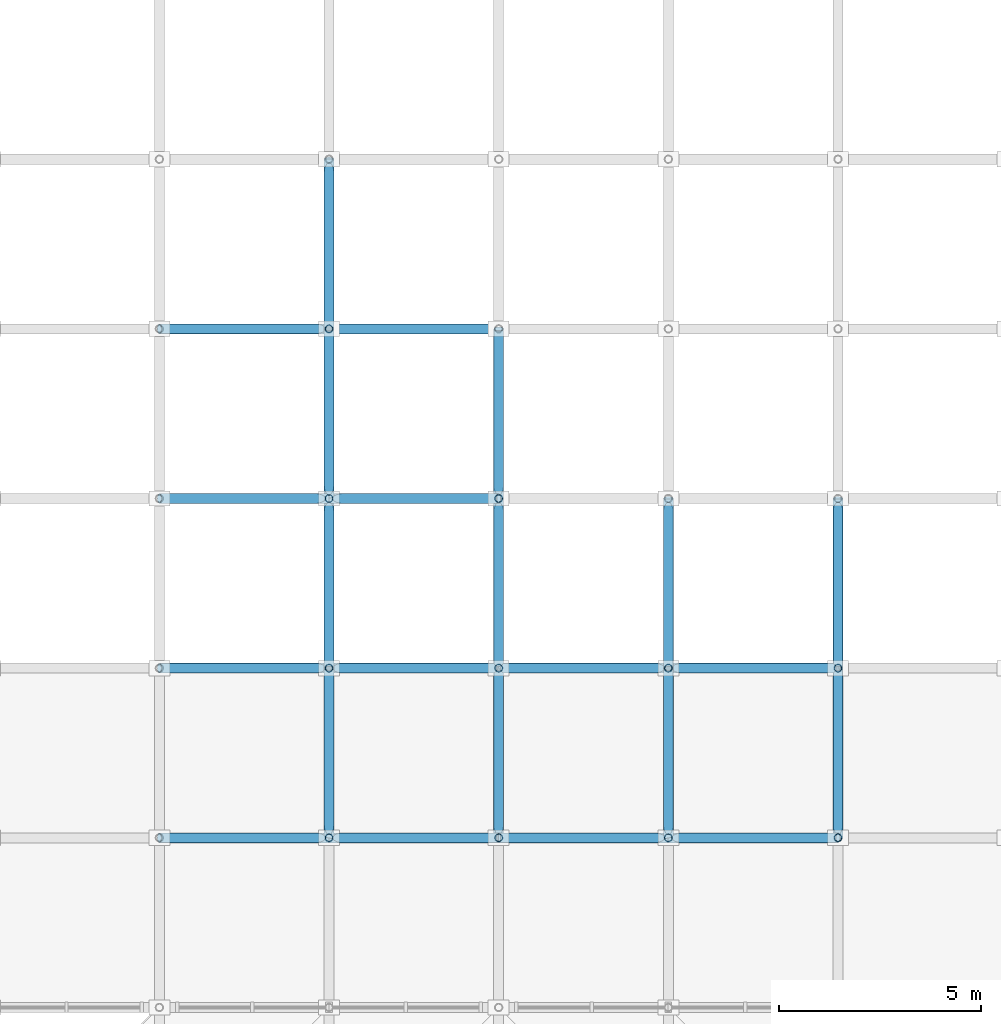
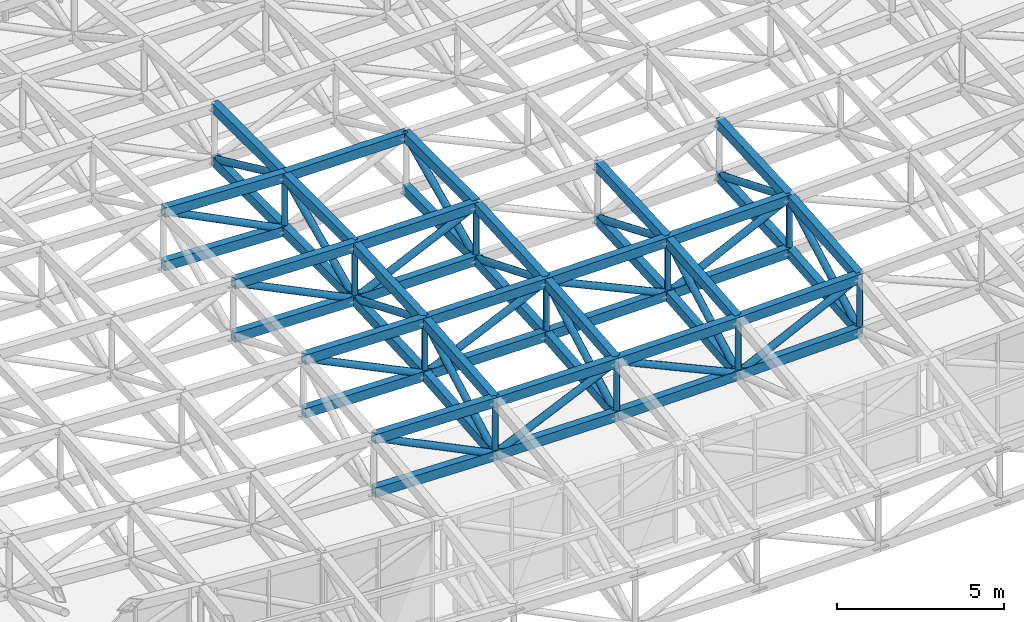
# One storey, part 42 of 111: 78 members.
"""IFC4 building model written with IfcOpenShell, lengths in metres."""

from ifc_helpers import new_model, si_unit, direction, frame, origin, origin_2d, place, context, subcontext, project, spatial, hollow_rectangle, hollow_circle, extrude, material, material_profile, profile_set, type_object, element, save


model = new_model("IFC4")

# Units and contexts
model_context = context("Model", 3, precision=1e-05, world=origin(), true_north=direction((0.0, 1.0)))
body_context = subcontext(model_context, "Body", "Model", "MODEL_VIEW")
ifc_project = project(units=[si_unit("LENGTHUNIT", "METRE"), si_unit("AREAUNIT", "SQUARE_METRE"), si_unit("VOLUMEUNIT", "CUBIC_METRE"), si_unit("PLANEANGLEUNIT", "RADIAN"), si_unit("MASSUNIT", "GRAM", prefix="KILO")], contexts=[model_context])

# Site, building, storey
site_placement = place(None, origin())
site = spatial("IfcSite", under=ifc_project, at=site_placement, CompositionType="ELEMENT")
building_placement = place(site_placement, origin())
building = spatial("IfcBuilding", under=site, at=building_placement, Name="Cumbredor Promenade Congress Hotel", CompositionType="ELEMENT")
storey_placement = place(building_placement, frame((0.0, 0.0, 15.1201171875)))
storey = spatial("IfcBuildingStorey", under=building, at=storey_placement, Name="L04", CompositionType="ELEMENT", Elevation=15.1201171875)

# Members
ifc_material = material(Name="Steel ASTM A500 Grade C", Category="steel")
ifc_material_profile_1 = material_profile(ifc_material, hollow_rectangle(XDim=0.25, YDim=0.35009765625, WallThickness=0.01611328125, at=origin_2d()), Name="HSS 350x250x16")
ifc_profile_set_1 = profile_set([ifc_material_profile_1], Name="Steel ASTM A500 Grade C")
member_type_1 = type_object("IfcMemberType", Name="Forum Roof Truss Chord", PredefinedType="CHORD", material=ifc_profile_set_1)
for number, where, z_axis, x_axis, name in (
    (1, (126.0, 88.199951171875, 3.99609375), (0.999709150504, 0.0, -0.024116682989), (0.0, 1.0, 0.0), "Pre-Function and Breakout Meeting Forum X Top Chord 10.3"),
    (2, (126.0, 88.199951171875, 2.046142578125), (0.999709150504, 0.0, -0.024116682989), (0.0, 1.0, 0.0), "Pre-Function and Breakout Meeting Forum X Bottom Chord 10.3"),
):
    element("IfcMember", number, at=place(storey_placement, frame(where, z_axis=z_axis, x_axis=x_axis)), inside=storey, type_object=member_type_1, Name=name, PredefinedType="CHORD", context=body_context, shape_type="SweptSolid", body=[
        extrude(hollow_rectangle(XDim=0.25, YDim=0.35009765625, WallThickness=0.01611328125, at=origin_2d()), origin(), (0.0, 0.0, 1.0), 4.201171875),
    ])
for number, where, z_axis, x_axis, name in (
    (3, (130.199951171875, 88.199951171875, 3.894775390625), (0.999967358511, 0.0, -0.008079722306), (0.0, 1.0, 0.0), "Pre-Function and Breakout Meeting Forum X Top Chord 11.3"),
    (4, (130.199951171875, 88.199951171875, 1.94482421875), (0.999967358511, 0.0, -0.008079722306), (0.0, 1.0, 0.0), "Pre-Function and Breakout Meeting Forum X Bottom Chord 11.3"),
):
    element("IfcMember", number, at=place(storey_placement, frame(where, z_axis=z_axis, x_axis=x_axis)), inside=storey, type_object=member_type_1, Name=name, PredefinedType="CHORD", context=body_context, shape_type="SweptSolid", body=[
        extrude(hollow_rectangle(XDim=0.25, YDim=0.35009765625, WallThickness=0.01611328125, at=origin_2d()), origin(), (0.0, 0.0, 1.0), 4.2001953125),
    ])
for number, where, z_axis, x_axis, name in (
    (5, (134.39990234375, 88.199951171875, 3.86083984375), (0.999967362305, 0.0, 0.008079252695), (0.0, 1.0, 0.0), "Pre-Function and Breakout Meeting Forum X Top Chord 12.3"),
    (6, (134.39990234375, 88.199951171875, 1.910888671875), (0.999967362305, 0.0, 0.008079252695), (0.0, 1.0, 0.0), "Pre-Function and Breakout Meeting Forum X Bottom Chord 12.3"),
):
    element("IfcMember", number, at=place(storey_placement, frame(where, z_axis=z_axis, x_axis=x_axis)), inside=storey, type_object=member_type_1, Name=name, PredefinedType="CHORD", context=body_context, shape_type="SweptSolid", body=[
        extrude(hollow_rectangle(XDim=0.25, YDim=0.35009765625, WallThickness=0.01611328125, at=origin_2d()), origin(), (0.0, 0.0, 1.0), 4.200439453125),
    ])
for number, where, z_axis, x_axis, name in (
    (7, (138.60009765625, 88.199951171875, 3.894775390625), (0.999709150504, 0.0, 0.024116682989), (0.0, 1.0, 0.0), "Pre-Function and Breakout Meeting Forum X Top Chord 13.3"),
    (8, (138.60009765625, 88.199951171875, 1.94482421875), (0.999709150504, 0.0, 0.024116682989), (0.0, 1.0, 0.0), "Pre-Function and Breakout Meeting Forum X Bottom Chord 13.3"),
):
    element("IfcMember", number, at=place(storey_placement, frame(where, z_axis=z_axis, x_axis=x_axis)), inside=storey, type_object=member_type_1, Name=name, PredefinedType="CHORD", context=body_context, shape_type="SweptSolid", body=[
        extrude(hollow_rectangle(XDim=0.25, YDim=0.35009765625, WallThickness=0.01611328125, at=origin_2d()), origin(), (0.0, 0.0, 1.0), 4.201171875),
    ])
for number, where, z_axis, x_axis, name in (
    (9, (126.0, 92.39990234375, 4.353271484375), (0.999802446318, 0.0, -0.019876326027), (0.0, 1.0, 0.0), "Pre-Function and Breakout Meeting Forum X Top Chord 10.4"),
    (10, (126.0, 92.39990234375, 2.4033203125), (0.999801289689, 0.0, -0.019934420878), (0.0, 1.0, 0.0), "Pre-Function and Breakout Meeting Forum X Bottom Chord 10.4"),
):
    element("IfcMember", number, at=place(storey_placement, frame(where, z_axis=z_axis, x_axis=x_axis)), inside=storey, type_object=member_type_1, Name=name, PredefinedType="CHORD", context=body_context, shape_type="SweptSolid", body=[
        extrude(hollow_rectangle(XDim=0.25, YDim=0.35009765625, WallThickness=0.01611328125, at=origin_2d()), origin(), (0.0, 0.0, 1.0), 4.20068359375),
    ])
for number, where, z_axis, x_axis, name in (
    (11, (130.199951171875, 92.39990234375, 4.269775390625), (0.999978043808, 0.0, -0.00662660565), (0.0, 1.0, 0.0), "Pre-Function and Breakout Meeting Forum X Top Chord 11.4"),
    (12, (130.199951171875, 92.39990234375, 2.319580078125), (0.999978427302, 0.0, -0.006568480049), (0.0, 1.0, 0.0), "Pre-Function and Breakout Meeting Forum X Bottom Chord 11.4"),
):
    element("IfcMember", number, at=place(storey_placement, frame(where, z_axis=z_axis, x_axis=x_axis)), inside=storey, type_object=member_type_1, Name=name, PredefinedType="CHORD", context=body_context, shape_type="SweptSolid", body=[
        extrude(hollow_rectangle(XDim=0.25, YDim=0.35009765625, WallThickness=0.01611328125, at=origin_2d()), origin(), (0.0, 0.0, 1.0), 4.199951171875),
    ])
for number, where, z_axis, x_axis, name in (
    (13, (134.39990234375, 92.39990234375, 4.241943359375), (0.99997804636, 0.0, 0.006626220489), (0.0, 1.0, 0.0), "Pre-Function and Breakout Meeting Forum X Top Chord 12.4"),
    (14, (134.39990234375, 92.39990234375, 2.2919921875), (0.99997842981, 0.0, 0.006568098266), (0.0, 1.0, 0.0), "Pre-Function and Breakout Meeting Forum X Bottom Chord 12.4"),
):
    element("IfcMember", number, at=place(storey_placement, frame(where, z_axis=z_axis, x_axis=x_axis)), inside=storey, type_object=member_type_1, Name=name, PredefinedType="CHORD", context=body_context, shape_type="SweptSolid", body=[
        extrude(hollow_rectangle(XDim=0.25, YDim=0.35009765625, WallThickness=0.01611328125, at=origin_2d()), origin(), (0.0, 0.0, 1.0), 4.2001953125),
    ])
for number, where, z_axis, x_axis, name in (
    (15, (138.60009765625, 92.39990234375, 4.269775390625), (0.999802446318, 0.0, 0.019876326027), (0.0, 1.0, 0.0), "Pre-Function and Breakout Meeting Forum X Top Chord 13.4"),
    (16, (138.60009765625, 92.39990234375, 2.319580078125), (0.999801289689, 0.0, 0.019934420878), (0.0, 1.0, 0.0), "Pre-Function and Breakout Meeting Forum X Bottom Chord 13.4"),
):
    element("IfcMember", number, at=place(storey_placement, frame(where, z_axis=z_axis, x_axis=x_axis)), inside=storey, type_object=member_type_1, Name=name, PredefinedType="CHORD", context=body_context, shape_type="SweptSolid", body=[
        extrude(hollow_rectangle(XDim=0.25, YDim=0.35009765625, WallThickness=0.01611328125, at=origin_2d()), origin(), (0.0, 0.0, 1.0), 4.20068359375),
    ])
for number, where, z_axis, x_axis, name in (
    (17, (126.0, 96.60009765625, 4.567626953125), (0.999732481716, 0.0, -0.023129310453), (0.0, 1.0, 0.0), "Pre-Function and Breakout Meeting Forum X Top Chord 10.5"),
    (18, (126.0, 96.60009765625, 2.61767578125), (0.999732481716, 0.0, -0.023129310453), (0.0, 1.0, 0.0), "Pre-Function and Breakout Meeting Forum X Bottom Chord 10.5"),
):
    element("IfcMember", number, at=place(storey_placement, frame(where, z_axis=z_axis, x_axis=x_axis)), inside=storey, type_object=member_type_1, Name=name, PredefinedType="CHORD", context=body_context, shape_type="SweptSolid", body=[
        extrude(hollow_rectangle(XDim=0.25, YDim=0.35009765625, WallThickness=0.01611328125, at=origin_2d()), origin(), (0.0, 0.0, 1.0), 4.201171875),
    ])
for number, where, z_axis, x_axis, name in (
    (19, (130.199951171875, 96.60009765625, 4.470458984375), (1.0, 0.0, 0.0), (0.0, 1.0, 0.0), "Pre-Function and Breakout Meeting Forum X Top Chord 11.5"),
    (20, (130.199951171875, 96.60009765625, 2.5205078125), (1.0, 0.0, 0.0), (0.0, 1.0, 0.0), "Pre-Function and Breakout Meeting Forum X Bottom Chord 11.5"),
):
    element("IfcMember", number, at=place(storey_placement, frame(where, z_axis=z_axis, x_axis=x_axis)), inside=storey, type_object=member_type_1, Name=name, PredefinedType="CHORD", context=body_context, shape_type="SweptSolid", body=[
        extrude(hollow_rectangle(XDim=0.25, YDim=0.35009765625, WallThickness=0.01611328125, at=origin_2d()), origin(), (0.0, 0.0, 1.0), 4.199951171875),
    ])
for number, where, z_axis, x_axis, name in (
    (21, (126.0, 100.800048828125, 4.639404296875), (0.999194264342, 0.0, -0.040135048344), (0.0, 1.0, 0.0), "Pre-Function and Breakout Meeting Forum X Top Chord 10.6"),
    (22, (126.0, 100.800048828125, 2.689208984375), (0.999196591933, 0.0, -0.040077059143), (0.0, 1.0, 0.0), "Pre-Function and Breakout Meeting Forum X Bottom Chord 10.6"),
):
    element("IfcMember", number, at=place(storey_placement, frame(where, z_axis=z_axis, x_axis=x_axis)), inside=storey, type_object=member_type_1, Name=name, PredefinedType="CHORD", context=body_context, shape_type="SweptSolid", body=[
        extrude(hollow_rectangle(XDim=0.25, YDim=0.35009765625, WallThickness=0.01611328125, at=origin_2d()), origin(), (0.0, 0.0, 1.0), 4.203369140625),
    ])
member_1_placement = place(storey_placement, frame((130.199951171875, 100.800048828125, 4.470703125), z_axis=(0.99999999831, 0.0, 5.8129396e-05), x_axis=(0.0, 1.0, 0.0)))
element("IfcMember", 23, at=member_1_placement, inside=storey, type_object=member_type_1, Name="Pre-Function and Breakout Meeting Forum X Top Chord 11.6", PredefinedType="CHORD", context=body_context, shape_type="SweptSolid", body=[
    extrude(hollow_rectangle(XDim=0.25, YDim=0.35009765625, WallThickness=0.01611328125, at=origin_2d()), origin(), (0.0, 0.0, 1.0), 4.199951171875),
])
for number, where, z_axis, x_axis, name in (
    (24, (130.199951171875, 88.199951171875, 3.894775390625), (0.0, 0.99603761373, 0.088932963709), (-1.0, 0.0, 0.0), "Pre-Function and Breakout Meeting Forum Y Top Chord 11.3"),
    (25, (130.199951171875, 88.199951171875, 1.94482421875), (0.0, 0.996042740833, 0.088875522129), (-1.0, 0.0, 0.0), "Pre-Function and Breakout Meeting Forum Y Bottom Chord 11.3"),
):
    element("IfcMember", number, at=place(storey_placement, frame(where, z_axis=z_axis, x_axis=x_axis)), inside=storey, type_object=member_type_1, Name=name, PredefinedType="CHORD", context=body_context, shape_type="SweptSolid", body=[
        extrude(hollow_rectangle(XDim=0.25, YDim=0.35009765625, WallThickness=0.01611328125, at=origin_2d()), origin(), (0.0, 0.0, 1.0), 4.216552734375),
    ])
for number, where, z_axis, x_axis, name in (
    (26, (130.199951171875, 92.39990234375, 4.269775390625), (0.0, 0.998860506207, 0.047725141601), (-1.0, 0.0, 0.0), "Pre-Function and Breakout Meeting Forum Y Top Chord 11.4"),
    (27, (130.199951171875, 92.39990234375, 2.319580078125), (0.0, 0.998857736781, 0.047783068901), (-1.0, 0.0, 0.0), "Pre-Function and Breakout Meeting Forum Y Bottom Chord 11.4"),
):
    element("IfcMember", number, at=place(storey_placement, frame(where, z_axis=z_axis, x_axis=x_axis)), inside=storey, type_object=member_type_1, Name=name, PredefinedType="CHORD", context=body_context, shape_type="SweptSolid", body=[
        extrude(hollow_rectangle(XDim=0.25, YDim=0.35009765625, WallThickness=0.01611328125, at=origin_2d()), origin(), (0.0, 0.0, 1.0), 4.205078125),
    ])
for number, where, z_axis, x_axis, name in (
    (28, (130.199951171875, 96.60009765625, 4.470458984375), (0.0, 0.99999999831, 5.8129396e-05), (-1.0, 0.0, 0.0), "Pre-Function and Breakout Meeting Forum Y Top Chord 11.5"),
    (29, (130.199951171875, 96.60009765625, 2.5205078125), (0.0, 0.99999999831, 5.8129396e-05), (-1.0, 0.0, 0.0), "Pre-Function and Breakout Meeting Forum Y Bottom Chord 11.5"),
    (30, (130.199951171875, 100.800048828125, 4.470703125), (0.0, 0.99999999831, -5.8129396e-05), (-1.0, 0.0, 0.0), "Pre-Function and Breakout Meeting Forum Y Top Chord 11.6"),
    (31, (130.199951171875, 100.800048828125, 2.520751953125), (0.0, 0.99999999831, -5.8129396e-05), (-1.0, 0.0, 0.0), "Pre-Function and Breakout Meeting Forum Y Bottom Chord 11.6"),
):
    element("IfcMember", number, at=place(storey_placement, frame(where, z_axis=z_axis, x_axis=x_axis)), inside=storey, type_object=member_type_1, Name=name, PredefinedType="CHORD", context=body_context, shape_type="SweptSolid", body=[
        extrude(hollow_rectangle(XDim=0.25, YDim=0.35009765625, WallThickness=0.01611328125, at=origin_2d()), origin(), (0.0, 0.0, 1.0), 4.199951171875),
    ])
for number, where, z_axis, x_axis, name in (
    (32, (134.39990234375, 88.199951171875, 3.86083984375), (0.0, 0.99590837713, 0.090368713405), (-1.0, 0.0, 0.0), "Pre-Function and Breakout Meeting Forum Y Top Chord 12.3"),
    (33, (134.39990234375, 88.199951171875, 1.910888671875), (0.0, 0.99590837713, 0.090368713405), (-1.0, 0.0, 0.0), "Pre-Function and Breakout Meeting Forum Y Bottom Chord 12.3"),
):
    element("IfcMember", number, at=place(storey_placement, frame(where, z_axis=z_axis, x_axis=x_axis)), inside=storey, type_object=member_type_1, Name=name, PredefinedType="CHORD", context=body_context, shape_type="SweptSolid", body=[
        extrude(hollow_rectangle(XDim=0.25, YDim=0.35009765625, WallThickness=0.01611328125, at=origin_2d()), origin(), (0.0, 0.0, 1.0), 4.21728515625),
    ])
for number, where, z_axis, x_axis, name in (
    (34, (134.39990234375, 92.39990234375, 4.241943359375), (0.0, 0.998523273721, 0.054325609405), (-1.0, 0.0, 0.0), "Pre-Function and Breakout Meeting Forum Y Top Chord 12.4"),
    (35, (134.39990234375, 92.39990234375, 2.2919921875), (0.0, 0.998523273721, 0.054325609405), (-1.0, 0.0, 0.0), "Pre-Function and Breakout Meeting Forum Y Bottom Chord 12.4"),
):
    element("IfcMember", number, at=place(storey_placement, frame(where, z_axis=z_axis, x_axis=x_axis)), inside=storey, type_object=member_type_1, Name=name, PredefinedType="CHORD", context=body_context, shape_type="SweptSolid", body=[
        extrude(hollow_rectangle(XDim=0.25, YDim=0.35009765625, WallThickness=0.01611328125, at=origin_2d()), origin(), (0.0, 0.0, 1.0), 4.206298828125),
    ])
for number, where, z_axis, x_axis, name in (
    (36, (134.39990234375, 96.60009765625, 4.470458984375), (0.0, 0.999999993242, 0.000116258791), (-1.0, 0.0, 0.0), "Pre-Function and Breakout Meeting Forum Y Top Chord 12.5"),
    (37, (134.39990234375, 96.60009765625, 2.5205078125), (0.0, 0.999999993242, 0.000116258791), (-1.0, 0.0, 0.0), "Pre-Function and Breakout Meeting Forum Y Bottom Chord 12.5"),
):
    element("IfcMember", number, at=place(storey_placement, frame(where, z_axis=z_axis, x_axis=x_axis)), inside=storey, type_object=member_type_1, Name=name, PredefinedType="CHORD", context=body_context, shape_type="SweptSolid", body=[
        extrude(hollow_rectangle(XDim=0.25, YDim=0.35009765625, WallThickness=0.01611328125, at=origin_2d()), origin(), (0.0, 0.0, 1.0), 4.199951171875),
    ])
for number, where, z_axis, x_axis, name in (
    (38, (138.60009765625, 88.199951171875, 3.894775390625), (0.0, 0.99603761373, 0.088932963709), (-1.0, 0.0, 0.0), "Pre-Function and Breakout Meeting Forum Y Top Chord 13.3"),
    (39, (138.60009765625, 88.199951171875, 1.94482421875), (0.0, 0.996042740833, 0.088875522129), (-1.0, 0.0, 0.0), "Pre-Function and Breakout Meeting Forum Y Bottom Chord 13.3"),
):
    element("IfcMember", number, at=place(storey_placement, frame(where, z_axis=z_axis, x_axis=x_axis)), inside=storey, type_object=member_type_1, Name=name, PredefinedType="CHORD", context=body_context, shape_type="SweptSolid", body=[
        extrude(hollow_rectangle(XDim=0.25, YDim=0.35009765625, WallThickness=0.01611328125, at=origin_2d()), origin(), (0.0, 0.0, 1.0), 4.216552734375),
    ])
for number, where, z_axis, x_axis, name in (
    (40, (138.60009765625, 92.39990234375, 4.269775390625), (0.0, 0.998860506207, 0.047725141601), (-1.0, 0.0, 0.0), "Pre-Function and Breakout Meeting Forum Y Top Chord 13.4"),
    (41, (138.60009765625, 92.39990234375, 2.319580078125), (0.0, 0.998857736781, 0.047783068901), (-1.0, 0.0, 0.0), "Pre-Function and Breakout Meeting Forum Y Bottom Chord 13.4"),
):
    element("IfcMember", number, at=place(storey_placement, frame(where, z_axis=z_axis, x_axis=x_axis)), inside=storey, type_object=member_type_1, Name=name, PredefinedType="CHORD", context=body_context, shape_type="SweptSolid", body=[
        extrude(hollow_rectangle(XDim=0.25, YDim=0.35009765625, WallThickness=0.01611328125, at=origin_2d()), origin(), (0.0, 0.0, 1.0), 4.205078125),
    ])
for number, where, z_axis, x_axis, name in (
    (42, (142.800048828125, 88.199951171875, 3.99609375), (0.0, 0.9964033157, 0.084737432475), (-1.0, 0.0, 0.0), "Pre-Function and Breakout Meeting Forum Y Top Chord 14.3"),
    (43, (142.800048828125, 88.199951171875, 2.046142578125), (0.0, 0.9964033157, 0.084737432475), (-1.0, 0.0, 0.0), "Pre-Function and Breakout Meeting Forum Y Bottom Chord 14.3"),
):
    element("IfcMember", number, at=place(storey_placement, frame(where, z_axis=z_axis, x_axis=x_axis)), inside=storey, type_object=member_type_1, Name=name, PredefinedType="CHORD", context=body_context, shape_type="SweptSolid", body=[
        extrude(hollow_rectangle(XDim=0.25, YDim=0.35009765625, WallThickness=0.01611328125, at=origin_2d()), origin(), (0.0, 0.0, 1.0), 4.215087890625),
    ])
for number, where, z_axis, x_axis, name in (
    (44, (142.800048828125, 92.39990234375, 4.353271484375), (0.0, 0.998700270943, 0.050968311898), (-1.0, 0.0, 0.0), "Pre-Function and Breakout Meeting Forum Y Top Chord 14.4"),
    (45, (142.800048828125, 92.39990234375, 2.4033203125), (0.0, 0.998700270943, 0.050968311898), (-1.0, 0.0, 0.0), "Pre-Function and Breakout Meeting Forum Y Bottom Chord 14.4"),
):
    element("IfcMember", number, at=place(storey_placement, frame(where, z_axis=z_axis, x_axis=x_axis)), inside=storey, type_object=member_type_1, Name=name, PredefinedType="CHORD", context=body_context, shape_type="SweptSolid", body=[
        extrude(hollow_rectangle(XDim=0.25, YDim=0.35009765625, WallThickness=0.01611328125, at=origin_2d()), origin(), (0.0, 0.0, 1.0), 4.20556640625),
    ])
ifc_material_profile_2 = material_profile(ifc_material, hollow_circle(Radius=0.122314453125, WallThickness=0.012451171875, at=origin_2d()), Name="CHS 244.5x12.5")
ifc_profile_set_2 = profile_set([ifc_material_profile_2], Name="Steel ASTM A500 Grade C")
member_type_2 = type_object("IfcMemberType", Name="Space Frame Web Diagonal D2", PredefinedType="BRACE", material=ifc_profile_set_2)
member_2_placement = place(storey_placement, frame((126.0, 88.199951171875, 3.99609375), z_axis=(0.89855649897, 0.0, -0.43885785644), x_axis=(0.0, 1.0, 0.0)))
element("IfcMember", 46, at=member_2_placement, inside=storey, type_object=member_type_2, Name="Pre-Function and Breakout Meeting Forum X Web Diagonal 10.3", PredefinedType="BRACE", context=body_context, shape_type="SweptSolid", body=[
    extrude(hollow_circle(Radius=0.122314453125, WallThickness=0.012451171875, at=origin_2d()), origin(), (0.0, 0.0, 1.0), 4.674072265625),
])
for number, where, z_axis, x_axis, name in (
    (47, (130.199951171875, 88.199951171875, 1.94482421875), (0.90979872818, 0.0, 0.415049724976), (0.0, 1.0, 0.0), "Pre-Function and Breakout Meeting Forum X Web Diagonal 11.3"),
    (48, (134.39990234375, 88.199951171875, 3.86083984375), (0.909807838005, 0.0, -0.415029755444), (0.0, 1.0, 0.0), "Pre-Function and Breakout Meeting Forum X Web Diagonal 12.3"),
):
    element("IfcMember", number, at=place(storey_placement, frame(where, z_axis=z_axis, x_axis=x_axis)), inside=storey, type_object=member_type_2, Name=name, PredefinedType="BRACE", context=body_context, shape_type="SweptSolid", body=[
        extrude(hollow_circle(Radius=0.122314453125, WallThickness=0.012451171875, at=origin_2d()), origin(), (0.0, 0.0, 1.0), 4.616455078125),
    ])
member_3_placement = place(storey_placement, frame((138.60009765625, 88.199951171875, 1.94482421875), z_axis=(0.89855649897, 0.0, 0.43885785644), x_axis=(0.0, 1.0, 0.0)))
element("IfcMember", 49, at=member_3_placement, inside=storey, type_object=member_type_2, Name="Pre-Function and Breakout Meeting Forum X Web Diagonal 13.3", PredefinedType="BRACE", context=body_context, shape_type="SweptSolid", body=[
    extrude(hollow_circle(Radius=0.122314453125, WallThickness=0.012451171875, at=origin_2d()), origin(), (0.0, 0.0, 1.0), 4.674072265625),
])
member_4_placement = place(storey_placement, frame((126.0, 92.39990234375, 4.353271484375), z_axis=(0.900036800937, 0.0, -0.43581390175), x_axis=(0.0, 1.0, 0.0)))
element("IfcMember", 50, at=member_4_placement, inside=storey, type_object=member_type_2, Name="Pre-Function and Breakout Meeting Forum X Web Diagonal 10.4", PredefinedType="BRACE", context=body_context, shape_type="SweptSolid", body=[
    extrude(hollow_circle(Radius=0.122314453125, WallThickness=0.012451171875, at=origin_2d()), origin(), (0.0, 0.0, 1.0), 4.66650390625),
])
member_5_placement = place(storey_placement, frame((130.199951171875, 92.39990234375, 2.319580078125), z_axis=(0.909279083438, 0.0, 0.416186915247), x_axis=(0.0, 1.0, 0.0)))
element("IfcMember", 51, at=member_5_placement, inside=storey, type_object=member_type_2, Name="Pre-Function and Breakout Meeting Forum X Web Diagonal 11.4", PredefinedType="BRACE", context=body_context, shape_type="SweptSolid", body=[
    extrude(hollow_circle(Radius=0.122314453125, WallThickness=0.012451171875, at=origin_2d()), origin(), (0.0, 0.0, 1.0), 4.618896484375),
])
member_6_placement = place(storey_placement, frame((134.39990234375, 92.39990234375, 4.241943359375), z_axis=(0.90928823802, 0.0, -0.416166913867), x_axis=(0.0, 1.0, 0.0)))
element("IfcMember", 52, at=member_6_placement, inside=storey, type_object=member_type_2, Name="Pre-Function and Breakout Meeting Forum X Web Diagonal 12.4", PredefinedType="BRACE", context=body_context, shape_type="SweptSolid", body=[
    extrude(hollow_circle(Radius=0.122314453125, WallThickness=0.012451171875, at=origin_2d()), origin(), (0.0, 0.0, 1.0), 4.619140625),
])
member_7_placement = place(storey_placement, frame((138.60009765625, 92.39990234375, 2.319580078125), z_axis=(0.900036800937, 0.0, 0.43581390175), x_axis=(0.0, 1.0, 0.0)))
element("IfcMember", 53, at=member_7_placement, inside=storey, type_object=member_type_2, Name="Pre-Function and Breakout Meeting Forum X Web Diagonal 13.4", PredefinedType="BRACE", context=body_context, shape_type="SweptSolid", body=[
    extrude(hollow_circle(Radius=0.122314453125, WallThickness=0.012451171875, at=origin_2d()), origin(), (0.0, 0.0, 1.0), 4.66650390625),
])
member_8_placement = place(storey_placement, frame((126.0, 96.60009765625, 4.567626953125), z_axis=(0.898906503364, 0.0, -0.438140500535), x_axis=(0.0, 1.0, 0.0)))
element("IfcMember", 54, at=member_8_placement, inside=storey, type_object=member_type_2, Name="Pre-Function and Breakout Meeting Forum X Web Diagonal 10.5", PredefinedType="BRACE", context=body_context, shape_type="SweptSolid", body=[
    extrude(hollow_circle(Radius=0.122314453125, WallThickness=0.012451171875, at=origin_2d()), origin(), (0.0, 0.0, 1.0), 4.67236328125),
])
member_9_placement = place(storey_placement, frame((130.199951171875, 96.60009765625, 2.5205078125), z_axis=(0.907011125382, 0.0, 0.421106659212), x_axis=(0.0, 1.0, 0.0)))
element("IfcMember", 55, at=member_9_placement, inside=storey, type_object=member_type_2, Name="Pre-Function and Breakout Meeting Forum X Web Diagonal 11.5", PredefinedType="BRACE", context=body_context, shape_type="SweptSolid", body=[
    extrude(hollow_circle(Radius=0.122314453125, WallThickness=0.012451171875, at=origin_2d()), origin(), (0.0, 0.0, 1.0), 4.630615234375),
])
member_10_placement = place(storey_placement, frame((126.0, 100.800048828125, 4.639404296875), z_axis=(0.89283341529, 0.0, -0.450387047485), x_axis=(0.0, 1.0, 0.0)))
element("IfcMember", 56, at=member_10_placement, inside=storey, type_object=member_type_2, Name="Pre-Function and Breakout Meeting Forum X Web Diagonal 10.6", PredefinedType="BRACE", context=body_context, shape_type="SweptSolid", body=[
    extrude(hollow_circle(Radius=0.122314453125, WallThickness=0.012451171875, at=origin_2d()), origin(), (0.0, 0.0, 1.0), 4.7041015625),
])
member_11_placement = place(storey_placement, frame((130.199951171875, 88.199951171875, 1.94482421875), z_axis=(0.0, 0.874895132079, 0.4843124073), x_axis=(-1.0, 0.0, 0.0)))
element("IfcMember", 57, at=member_11_placement, inside=storey, type_object=member_type_2, Name="Pre-Function and Breakout Meeting Forum Y Web Diagonal 11.3", PredefinedType="BRACE", context=body_context, shape_type="SweptSolid", body=[
    extrude(hollow_circle(Radius=0.122314453125, WallThickness=0.012451171875, at=origin_2d()), origin(), (0.0, 0.0, 1.0), 4.800537109375),
])
member_12_placement = place(storey_placement, frame((130.199951171875, 92.39990234375, 4.269775390625), z_axis=(0.0, 0.92314041165, -0.384462976603), x_axis=(-1.0, 0.0, 0.0)))
element("IfcMember", 58, at=member_12_placement, inside=storey, type_object=member_type_2, Name="Pre-Function and Breakout Meeting Forum Y Web Diagonal 11.4", PredefinedType="BRACE", context=body_context, shape_type="SweptSolid", body=[
    extrude(hollow_circle(Radius=0.122314453125, WallThickness=0.012451171875, at=origin_2d()), origin(), (0.0, 0.0, 1.0), 4.5498046875),
])
for number, where, z_axis, x_axis, name in (
    (59, (130.199951171875, 96.60009765625, 2.5205078125), (0.0, 0.90699098694, 0.421150032185), (-1.0, 0.0, 0.0), "Pre-Function and Breakout Meeting Forum Y Web Diagonal 11.5"),
    (60, (130.199951171875, 100.800048828125, 4.470703125), (0.0, 0.90699098694, -0.421150032185), (-1.0, 0.0, 0.0), "Pre-Function and Breakout Meeting Forum Y Web Diagonal 11.6"),
):
    element("IfcMember", number, at=place(storey_placement, frame(where, z_axis=z_axis, x_axis=x_axis)), inside=storey, type_object=member_type_2, Name=name, PredefinedType="BRACE", context=body_context, shape_type="SweptSolid", body=[
        extrude(hollow_circle(Radius=0.122314453125, WallThickness=0.012451171875, at=origin_2d()), origin(), (0.0, 0.0, 1.0), 4.630615234375),
    ])
member_13_placement = place(storey_placement, frame((134.39990234375, 88.199951171875, 1.910888671875), z_axis=(0.0, 0.874356190533, 0.485284712388), x_axis=(-1.0, 0.0, 0.0)))
element("IfcMember", 61, at=member_13_placement, inside=storey, type_object=member_type_2, Name="Pre-Function and Breakout Meeting Forum Y Web Diagonal 12.3", PredefinedType="BRACE", context=body_context, shape_type="SweptSolid", body=[
    extrude(hollow_circle(Radius=0.122314453125, WallThickness=0.012451171875, at=origin_2d()), origin(), (0.0, 0.0, 1.0), 4.803466796875),
])
member_14_placement = place(storey_placement, frame((134.39990234375, 92.39990234375, 4.241943359375), z_axis=(0.0, 0.925301735349, -0.379231721457), x_axis=(-1.0, 0.0, 0.0)))
element("IfcMember", 62, at=member_14_placement, inside=storey, type_object=member_type_2, Name="Pre-Function and Breakout Meeting Forum Y Web Diagonal 12.4", PredefinedType="BRACE", context=body_context, shape_type="SweptSolid", body=[
    extrude(hollow_circle(Radius=0.122314453125, WallThickness=0.012451171875, at=origin_2d()), origin(), (0.0, 0.0, 1.0), 4.539306640625),
])
member_15_placement = place(storey_placement, frame((134.39990234375, 96.60009765625, 2.5205078125), z_axis=(0.0, 0.906970847318, 0.421193402269), x_axis=(-1.0, 0.0, 0.0)))
element("IfcMember", 63, at=member_15_placement, inside=storey, type_object=member_type_2, Name="Pre-Function and Breakout Meeting Forum Y Web Diagonal 12.5", PredefinedType="BRACE", context=body_context, shape_type="SweptSolid", body=[
    extrude(hollow_circle(Radius=0.122314453125, WallThickness=0.012451171875, at=origin_2d()), origin(), (0.0, 0.0, 1.0), 4.630859375),
])
member_16_placement = place(storey_placement, frame((138.60009765625, 88.199951171875, 1.94482421875), z_axis=(0.0, 0.874895132079, 0.4843124073), x_axis=(-1.0, 0.0, 0.0)))
element("IfcMember", 64, at=member_16_placement, inside=storey, type_object=member_type_2, Name="Pre-Function and Breakout Meeting Forum Y Web Diagonal 13.3", PredefinedType="BRACE", context=body_context, shape_type="SweptSolid", body=[
    extrude(hollow_circle(Radius=0.122314453125, WallThickness=0.012451171875, at=origin_2d()), origin(), (0.0, 0.0, 1.0), 4.800537109375),
])
member_17_placement = place(storey_placement, frame((138.60009765625, 92.39990234375, 4.269775390625), z_axis=(0.0, 0.92314041165, -0.384462976603), x_axis=(-1.0, 0.0, 0.0)))
element("IfcMember", 65, at=member_17_placement, inside=storey, type_object=member_type_2, Name="Pre-Function and Breakout Meeting Forum Y Web Diagonal 13.4", PredefinedType="BRACE", context=body_context, shape_type="SweptSolid", body=[
    extrude(hollow_circle(Radius=0.122314453125, WallThickness=0.012451171875, at=origin_2d()), origin(), (0.0, 0.0, 1.0), 4.5498046875),
])
member_18_placement = place(storey_placement, frame((142.800048828125, 88.199951171875, 2.046142578125), z_axis=(0.0, 0.876466425327, 0.481462984325), x_axis=(-1.0, 0.0, 0.0)))
element("IfcMember", 66, at=member_18_placement, inside=storey, type_object=member_type_2, Name="Pre-Function and Breakout Meeting Forum Y Web Diagonal 14.3", PredefinedType="BRACE", context=body_context, shape_type="SweptSolid", body=[
    extrude(hollow_circle(Radius=0.122314453125, WallThickness=0.012451171875, at=origin_2d()), origin(), (0.0, 0.0, 1.0), 4.7919921875),
])
member_19_placement = place(storey_placement, frame((142.800048828125, 92.39990234375, 4.353271484375), z_axis=(0.0, 0.924204551196, -0.38189782344), x_axis=(-1.0, 0.0, 0.0)))
element("IfcMember", 67, at=member_19_placement, inside=storey, type_object=member_type_2, Name="Pre-Function and Breakout Meeting Forum Y Web Diagonal 14.4", PredefinedType="BRACE", context=body_context, shape_type="SweptSolid", body=[
    extrude(hollow_circle(Radius=0.122314453125, WallThickness=0.012451171875, at=origin_2d()), origin(), (0.0, 0.0, 1.0), 4.544677734375),
])
ifc_material_profile_3 = material_profile(ifc_material, hollow_circle(Radius=0.096923828125, WallThickness=0.010009765625, at=origin_2d()), Name="CHS 193.7x10")
ifc_profile_set_3 = profile_set([ifc_material_profile_3], Name="Steel ASTM A500 Grade C")
member_type_3 = type_object("IfcMemberType", Name="Space Frame Web Post P1", PredefinedType="BRACE", material=ifc_profile_set_3)
member_20_placement = place(storey_placement, frame((130.199951171875, 88.199951171875, 1.94482421875), z_axis=(0.0, 0.0, 1.0), x_axis=(1.0, 0.0, 0.0)))
element("IfcMember", 68, at=member_20_placement, inside=storey, type_object=member_type_3, Name="Pre-Function and Breakout Meeting Forum Space Frame Web Post 11.3", PredefinedType="BRACE", context=body_context, shape_type="SweptSolid", body=[
    extrude(hollow_circle(Radius=0.096923828125, WallThickness=0.010009765625, at=origin_2d()), origin(), (0.0, 0.0, 1.0), 1.949951171875),
])
member_21_placement = place(storey_placement, frame((130.199951171875, 92.39990234375, 2.319580078125), z_axis=(0.0, 0.0, 1.0), x_axis=(1.0, 0.0, 0.0)))
element("IfcMember", 69, at=member_21_placement, inside=storey, type_object=member_type_3, Name="Pre-Function and Breakout Meeting Forum Space Frame Web Post 11.4", PredefinedType="BRACE", context=body_context, shape_type="SweptSolid", body=[
    extrude(hollow_circle(Radius=0.096923828125, WallThickness=0.010009765625, at=origin_2d()), origin(), (0.0, 0.0, 1.0), 1.9501953125),
])
for number, where, z_axis, x_axis, name in (
    (70, (130.199951171875, 96.60009765625, 2.5205078125), (0.0, 0.0, 1.0), (1.0, 0.0, 0.0), "Pre-Function and Breakout Meeting Forum Space Frame Web Post 11.5"),
    (71, (130.199951171875, 100.800048828125, 2.520751953125), (0.0, 0.0, 1.0), (1.0, 0.0, 0.0), "Pre-Function and Breakout Meeting Forum Space Frame Web Post 11.6"),
    (72, (134.39990234375, 88.199951171875, 1.910888671875), (0.0, 0.0, 1.0), (1.0, 0.0, 0.0), "Pre-Function and Breakout Meeting Forum Space Frame Web Post 12.3"),
    (73, (134.39990234375, 92.39990234375, 2.2919921875), (0.0, 0.0, 1.0), (1.0, 0.0, 0.0), "Pre-Function and Breakout Meeting Forum Space Frame Web Post 12.4"),
    (74, (134.39990234375, 96.60009765625, 2.5205078125), (0.0, 0.0, 1.0), (1.0, 0.0, 0.0), "Pre-Function and Breakout Meeting Forum Space Frame Web Post 12.5"),
    (75, (138.60009765625, 88.199951171875, 1.94482421875), (0.0, 0.0, 1.0), (1.0, 0.0, 0.0), "Pre-Function and Breakout Meeting Forum Space Frame Web Post 13.3"),
):
    element("IfcMember", number, at=place(storey_placement, frame(where, z_axis=z_axis, x_axis=x_axis)), inside=storey, type_object=member_type_3, Name=name, PredefinedType="BRACE", context=body_context, shape_type="SweptSolid", body=[
        extrude(hollow_circle(Radius=0.096923828125, WallThickness=0.010009765625, at=origin_2d()), origin(), (0.0, 0.0, 1.0), 1.949951171875),
    ])
member_22_placement = place(storey_placement, frame((138.60009765625, 92.39990234375, 2.319580078125), z_axis=(0.0, 0.0, 1.0), x_axis=(1.0, 0.0, 0.0)))
element("IfcMember", 76, at=member_22_placement, inside=storey, type_object=member_type_3, Name="Pre-Function and Breakout Meeting Forum Space Frame Web Post 13.4", PredefinedType="BRACE", context=body_context, shape_type="SweptSolid", body=[
    extrude(hollow_circle(Radius=0.096923828125, WallThickness=0.010009765625, at=origin_2d()), origin(), (0.0, 0.0, 1.0), 1.9501953125),
])
for number, where, z_axis, x_axis, name in (
    (77, (142.800048828125, 88.199951171875, 2.046142578125), (0.0, 0.0, 1.0), (1.0, 0.0, 0.0), "Pre-Function and Breakout Meeting Forum Space Frame Web Post 14.3"),
    (78, (142.800048828125, 92.39990234375, 2.4033203125), (0.0, 0.0, 1.0), (1.0, 0.0, 0.0), "Pre-Function and Breakout Meeting Forum Space Frame Web Post 14.4"),
):
    element("IfcMember", number, at=place(storey_placement, frame(where, z_axis=z_axis, x_axis=x_axis)), inside=storey, type_object=member_type_3, Name=name, PredefinedType="BRACE", context=body_context, shape_type="SweptSolid", body=[
        extrude(hollow_circle(Radius=0.096923828125, WallThickness=0.010009765625, at=origin_2d()), origin(), (0.0, 0.0, 1.0), 1.949951171875),
    ])

save(model, "model.ifc")
